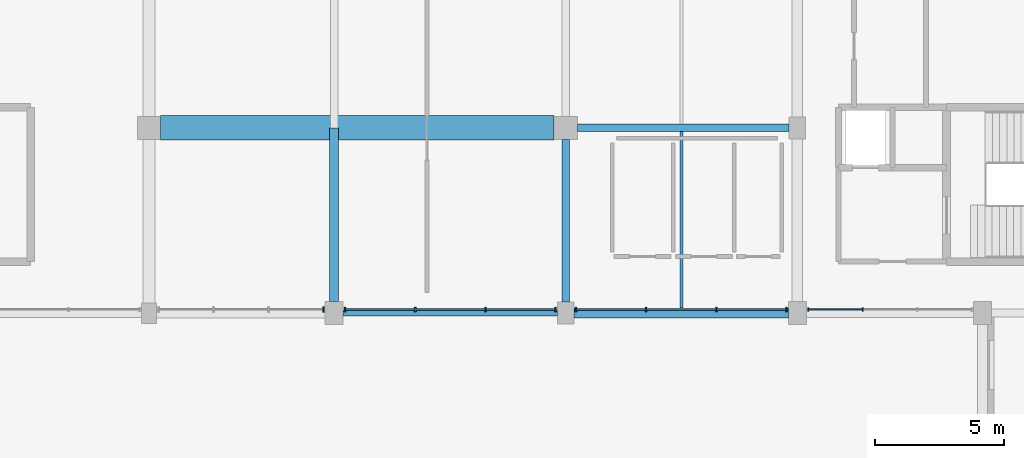
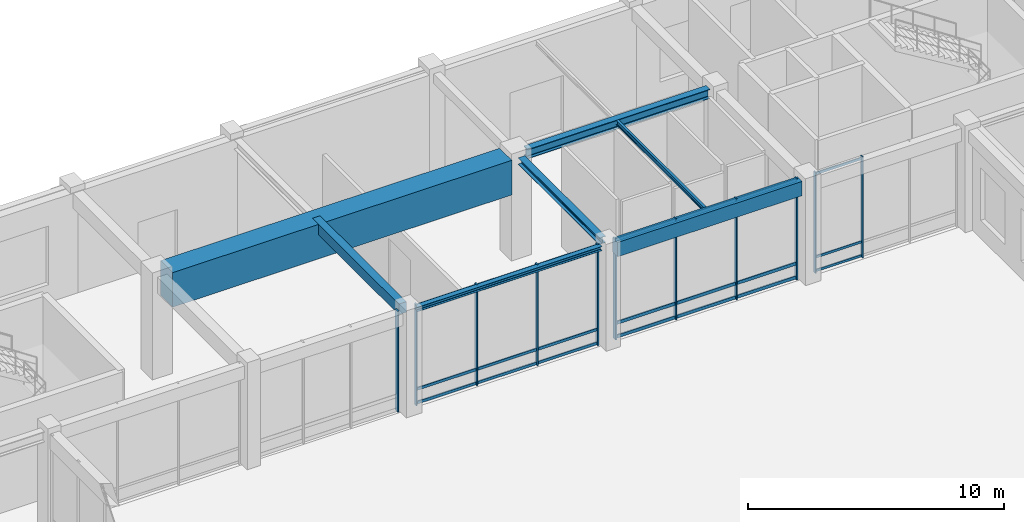
# One storey, part 27 of 64: 32 members, 7 beams, 4 elements without a shape of their own.
"""IFC4 building model written with IfcOpenShell, lengths in metres."""

from ifc_helpers import new_model, si_unit, direction, frame, origin, origin_2d, place, context, subcontext, project, spatial, rectangle, i_section, extrude, material, material_profile, profile_set, type_object, element, aggregate, save


model = new_model("IFC4")

# Units and contexts
model_context = context("Model", 3, precision=1e-05, world=origin(), true_north=direction((0.0, 1.0)))
body_context = subcontext(model_context, "Body", "Model", "MODEL_VIEW")
ifc_project = project(units=[si_unit("LENGTHUNIT", "METRE"), si_unit("AREAUNIT", "SQUARE_METRE"), si_unit("VOLUMEUNIT", "CUBIC_METRE"), si_unit("PLANEANGLEUNIT", "RADIAN"), si_unit("MASSUNIT", "GRAM", prefix="KILO")], contexts=[model_context])

# Site, building, storey
site_placement = place(None, origin())
site = spatial("IfcSite", under=ifc_project, at=site_placement, CompositionType="ELEMENT")
building_placement = place(site_placement, origin())
building = spatial("IfcBuilding", under=site, at=building_placement, Name="Clarverna Civic Hall", CompositionType="ELEMENT")
storey_placement = place(building_placement, origin())
storey = spatial("IfcBuildingStorey", under=building, at=storey_placement, Name="L00", CompositionType="ELEMENT", Elevation=0.0)

# Beams
ifc_material_1 = material(Name="Steel S355", Category="steel")
ifc_material_profile_1 = material_profile(ifc_material_1, i_section(OverallWidth=0.219970703125, OverallDepth=0.2099609375, WebThickness=0.007080078125, FlangeThickness=0.010986328125, FilletRadius=0.01806640625, at=origin_2d()), Name="HEA 220")
ifc_profile_set_1 = profile_set([ifc_material_profile_1], Name="Steel S355")
beam_type_1 = type_object("IfcBeamType", Name="B-LN1", PredefinedType="LINTEL", material=ifc_profile_set_1)
beam_1_placement = place(storey_placement, frame((32.75, 102.199951171875, 4.715087890625), z_axis=(1.0, 0.0, 0.0), x_axis=(0.0, 1.0, 0.0)))
element("IfcBeam", 1, at=beam_1_placement, inside=storey, type_object=beam_type_1, Name="B-LN1-007", PredefinedType="LINTEL", context=body_context, shape_type="SweptSolid", body=[
    extrude(i_section(OverallWidth=0.219970703125, OverallDepth=0.2099609375, WebThickness=0.007080078125, FlangeThickness=0.010986328125, FilletRadius=0.01806640625, at=origin_2d()), origin(), (0.0, 0.0, 1.0), 8.324951171875),
])
ifc_material_2 = material(Name="Concrete C35/45", Category="concrete")
ifc_material_profile_2 = material_profile(ifc_material_2, rectangle(XDim=0.35009765625, YDim=0.5, at=origin_2d()), Name="RC 350x500")
ifc_profile_set_2 = profile_set([ifc_material_profile_2], Name="Concrete C35/45")
beam_type_2 = type_object("IfcBeamType", Name="B-RC10", PredefinedType="BEAM", material=ifc_profile_set_2)
beam_2_placement = place(storey_placement, frame((32.39990234375, 102.64990234375, 4.570068359375), z_axis=(0.0, 1.0, 0.0), x_axis=(-1.0, 0.0, 0.0)))
element("IfcBeam", 2, at=beam_2_placement, inside=storey, type_object=beam_type_2, Name="B-RC10-019", PredefinedType="BEAM", context=body_context, shape_type="SweptSolid", body=[
    extrude(rectangle(XDim=0.35009765625, YDim=0.5, at=origin_2d()), origin(), (0.0, 0.0, 1.0), 6.75),
])
ifc_material_profile_3 = material_profile(ifc_material_2, rectangle(XDim=0.3798828125, YDim=0.679931640625, at=origin_2d()), Name="RC 380x680")
ifc_profile_set_3 = profile_set([ifc_material_profile_3], Name="Concrete C35/45")
beam_type_3 = type_object("IfcBeamType", Name="B-SP2", PredefinedType="SPANDREL", material=ifc_profile_set_3)
beam_3_placement = place(storey_placement, frame((41.72509765625, 102.199951171875, 4.47998046875), z_axis=(1.0, 0.0, 0.0), x_axis=(0.0, 1.0, 0.0)))
element("IfcBeam", 3, at=beam_3_placement, inside=storey, type_object=beam_type_3, Name="B-SP2-038", PredefinedType="SPANDREL", context=body_context, shape_type="SweptSolid", body=[
    extrude(rectangle(XDim=0.3798828125, YDim=0.679931640625, at=origin_2d()), origin(), (0.0, 0.0, 1.0), 8.324951171875),
])
ifc_material_profile_4 = material_profile(ifc_material_1, i_section(OverallWidth=0.300048828125, OverallDepth=0.449951171875, WebThickness=0.013916015625, FlangeThickness=0.02587890625, FilletRadius=0.027099609375, at=origin_2d()), Name="HEB 450")
ifc_profile_set_4 = profile_set([ifc_material_profile_4], Name="Steel S355")
beam_type_4 = type_object("IfcBeamType", Name="B-ST3", PredefinedType="BEAM", material=ifc_profile_set_4)
beam_4_placement = place(storey_placement, frame((41.85009765625, 109.39990234375, 4.594970703125), z_axis=(1.0, 0.0, 0.0), x_axis=(0.0, 1.0, 0.0)))
element("IfcBeam", 4, at=beam_4_placement, inside=storey, type_object=beam_type_4, Name="B-ST3-003", PredefinedType="BEAM", context=body_context, shape_type="SweptSolid", body=[
    extrude(i_section(OverallWidth=0.300048828125, OverallDepth=0.449951171875, WebThickness=0.013916015625, FlangeThickness=0.02587890625, FilletRadius=0.027099609375, at=origin_2d()), origin(), (0.0, 0.0, 1.0), 8.224853515625),
])
ifc_material_profile_5 = material_profile(ifc_material_1, i_section(OverallWidth=0.300048828125, OverallDepth=0.31005859375, WebThickness=0.009033203125, FlangeThickness=0.015380859375, FilletRadius=0.027099609375, at=origin_2d()), Name="HEA 320")
ifc_profile_set_5 = profile_set([ifc_material_profile_5], Name="Steel S355")
beam_type_5 = type_object("IfcBeamType", Name="B-ST9", PredefinedType="BEAM", material=ifc_profile_set_5)
beam_5_placement = place(storey_placement, frame((41.39990234375, 102.625, 4.6650390625), z_axis=(0.0, 1.0, 0.0), x_axis=(-1.0, 0.0, 0.0)))
element("IfcBeam", 5, at=beam_5_placement, inside=storey, type_object=beam_type_5, Name="B-ST9-021", PredefinedType="BEAM", context=body_context, shape_type="SweptSolid", body=[
    extrude(i_section(OverallWidth=0.300048828125, OverallDepth=0.31005859375, WebThickness=0.009033203125, FlangeThickness=0.015380859375, FilletRadius=0.027099609375, at=origin_2d()), origin(), (0.0, 0.0, 1.0), 6.324951171875),
])

# Curtain wall, members
ifc_material_3 = material(Name="Anodised Bronze Architectural Aluminium", Category="aluminium")
curtain_wall_type = type_object("IfcCurtainWallType", Name="CW-04", PredefinedType="USERDEFINED", material=ifc_material_3)
curtain_wall_1_placement = place(storey_placement, origin())
curtain_wall_1 = element("IfcCurtainWall", 6, at=curtain_wall_1_placement, inside=storey, type_object=curtain_wall_type, Name="CW-04-002", ObjectType="UNITISED CURTAIN WALL", PredefinedType="USERDEFINED")
ifc_material_profile_6 = material_profile(ifc_material_3, rectangle(XDim=0.06005859375, YDim=0.179931640625, at=origin_2d()), Name="BRONZE 60x180")
ifc_profile_set_6 = profile_set([ifc_material_profile_6], Name="Anodised Bronze Architectural Aluminium")
member_type_1 = type_object("IfcMemberType", Name="CWM-01", PredefinedType="MULLION", material=ifc_profile_set_6)
member_1_placement = place(storey_placement, frame((49.97705078125, 102.340087890625, 0.0), z_axis=(0.0, 0.0, 1.0), x_axis=(1.0, 0.0, 0.0)))
member_1 = element("IfcMember", 7, at=member_1_placement, type_object=member_type_1, Name="CWM-01-022", PredefinedType="MULLION", context=body_context, shape_type="SweptSolid", body=[
    extrude(rectangle(XDim=0.06005859375, YDim=0.179931640625, at=origin_2d()), origin(), (0.0, 0.0, 1.0), 4.820068359375),
])
member_2_placement = place(storey_placement, frame((47.250732421875, 102.340087890625, 0.0), z_axis=(0.0, 0.0, 1.0), x_axis=(1.0, 0.0, 0.0)))
member_2 = element("IfcMember", 8, at=member_2_placement, type_object=member_type_1, Name="CWM-01-023", PredefinedType="MULLION", context=body_context, shape_type="SweptSolid", body=[
    extrude(rectangle(XDim=0.06005859375, YDim=0.179931640625, at=origin_2d()), origin(), (0.0, 0.0, 1.0), 4.820068359375),
])
member_3_placement = place(storey_placement, frame((44.5244140625, 102.340087890625, 0.0), z_axis=(0.0, 0.0, 1.0), x_axis=(1.0, 0.0, 0.0)))
member_3 = element("IfcMember", 9, at=member_3_placement, type_object=member_type_1, Name="CWM-01-024", PredefinedType="MULLION", context=body_context, shape_type="SweptSolid", body=[
    extrude(rectangle(XDim=0.06005859375, YDim=0.179931640625, at=origin_2d()), origin(), (0.0, 0.0, 1.0), 4.820068359375),
])
member_4_placement = place(storey_placement, frame((41.798095703125, 102.340087890625, 0.0), z_axis=(0.0, 0.0, 1.0), x_axis=(1.0, 0.0, 0.0)))
member_4 = element("IfcMember", 10, at=member_4_placement, type_object=member_type_1, Name="CWM-01-025", PredefinedType="MULLION", context=body_context, shape_type="SweptSolid", body=[
    extrude(rectangle(XDim=0.06005859375, YDim=0.179931640625, at=origin_2d()), origin(), (0.0, 0.0, 1.0), 4.820068359375),
])

curtain_wall_2_placement = place(storey_placement, origin())
curtain_wall_2 = element("IfcCurtainWall", 11, at=curtain_wall_2_placement, inside=storey, type_object=curtain_wall_type, Name="CW-04-003", ObjectType="UNITISED CURTAIN WALL", PredefinedType="USERDEFINED")
ifc_material_profile_7 = material_profile(ifc_material_3, rectangle(XDim=0.06005859375, YDim=0.159912109375, at=origin_2d()), Name="BRONZE 60x160")
ifc_profile_set_7 = profile_set([ifc_material_profile_7], Name="Anodised Bronze Architectural Aluminium")
member_type_2 = type_object("IfcMemberType", Name="CWM-02", PredefinedType="MULLION", material=ifc_profile_set_7)
member_5_placement = place(storey_placement, frame((41.001953125, 102.340087890625, 0.0), z_axis=(0.0, 0.0, 1.0), x_axis=(1.0, 0.0, 0.0)))
member_5 = element("IfcMember", 12, at=member_5_placement, type_object=member_type_2, Name="CWM-02-022", PredefinedType="MULLION", context=body_context, shape_type="SweptSolid", body=[
    extrude(rectangle(XDim=0.06005859375, YDim=0.159912109375, at=origin_2d()), origin(), (0.0, 0.0, 1.0), 4.820068359375),
])
member_6_placement = place(storey_placement, frame((38.275634765625, 102.340087890625, 0.0), z_axis=(0.0, 0.0, 1.0), x_axis=(1.0, 0.0, 0.0)))
member_6 = element("IfcMember", 13, at=member_6_placement, type_object=member_type_2, Name="CWM-02-023", PredefinedType="MULLION", context=body_context, shape_type="SweptSolid", body=[
    extrude(rectangle(XDim=0.06005859375, YDim=0.159912109375, at=origin_2d()), origin(), (0.0, 0.0, 1.0), 4.820068359375),
])
member_7_placement = place(storey_placement, frame((35.54931640625, 102.340087890625, 0.0), z_axis=(0.0, 0.0, 1.0), x_axis=(1.0, 0.0, 0.0)))
member_7 = element("IfcMember", 14, at=member_7_placement, type_object=member_type_2, Name="CWM-02-024", PredefinedType="MULLION", context=body_context, shape_type="SweptSolid", body=[
    extrude(rectangle(XDim=0.06005859375, YDim=0.159912109375, at=origin_2d()), origin(), (0.0, 0.0, 1.0), 4.820068359375),
])
member_8_placement = place(storey_placement, frame((32.822998046875, 102.340087890625, 0.0), z_axis=(0.0, 0.0, 1.0), x_axis=(1.0, 0.0, 0.0)))
member_8 = element("IfcMember", 15, at=member_8_placement, type_object=member_type_2, Name="CWM-02-025", PredefinedType="MULLION", context=body_context, shape_type="SweptSolid", body=[
    extrude(rectangle(XDim=0.06005859375, YDim=0.159912109375, at=origin_2d()), origin(), (0.0, 0.0, 1.0), 4.820068359375),
])

# Curtain wall, member
curtain_wall_3_placement = place(storey_placement, origin())
curtain_wall_3 = element("IfcCurtainWall", 16, at=curtain_wall_3_placement, inside=storey, type_object=curtain_wall_type, Name="CW-04-004", ObjectType="UNITISED CURTAIN WALL", PredefinedType="USERDEFINED")
ifc_material_profile_8 = material_profile(ifc_material_3, rectangle(XDim=0.06494140625, YDim=0.199951171875, at=origin_2d()), Name="BRONZE 65x200")
ifc_profile_set_8 = profile_set([ifc_material_profile_8], Name="Anodised Bronze Architectural Aluminium")
member_type_3 = type_object("IfcMemberType", Name="CWM-03", PredefinedType="MULLION", material=ifc_profile_set_8)
member_9_placement = place(storey_placement, frame((31.97705078125, 102.340087890625, 0.0), z_axis=(0.0, 0.0, 1.0), x_axis=(1.0, 0.0, 0.0)))
member_9 = element("IfcMember", 17, at=member_9_placement, type_object=member_type_3, Name="CWM-03-022", PredefinedType="MULLION", context=body_context, shape_type="SweptSolid", body=[
    extrude(rectangle(XDim=0.06494140625, YDim=0.199951171875, at=origin_2d()), origin(), (0.0, 0.0, 1.0), 4.820068359375),
])
aggregate(curtain_wall_3, [member_9])

# Curtain wall, members
curtain_wall_4_placement = place(storey_placement, origin())
curtain_wall_4 = element("IfcCurtainWall", 18, at=curtain_wall_4_placement, inside=storey, type_object=curtain_wall_type, Name="CW-04-001", ObjectType="UNITISED CURTAIN WALL", PredefinedType="USERDEFINED")
ifc_material_profile_9 = material_profile(ifc_material_3, rectangle(XDim=0.054931640625, YDim=0.139892578125, at=origin_2d()), Name="BRONZE 55x140")
ifc_profile_set_9 = profile_set([ifc_material_profile_9], Name="Anodised Bronze Architectural Aluminium")
member_type_4 = type_object("IfcMemberType", Name="CWM-04", PredefinedType="MULLION", material=ifc_profile_set_9)
member_10_placement = place(storey_placement, frame((52.94091796875, 102.340087890625, 0.0), z_axis=(0.0, 0.0, 1.0), x_axis=(1.0, 0.0, 0.0)))
member_10 = element("IfcMember", 19, at=member_10_placement, type_object=member_type_4, Name="CWM-04-021", PredefinedType="MULLION", context=body_context, shape_type="SweptSolid", body=[
    extrude(rectangle(XDim=0.054931640625, YDim=0.139892578125, at=origin_2d()), origin(), (0.0, 0.0, 1.0), 4.820068359375),
])
member_11_placement = place(storey_placement, frame((50.822998046875, 102.340087890625, 0.0), z_axis=(0.0, 0.0, 1.0), x_axis=(1.0, 0.0, 0.0)))
member_11 = element("IfcMember", 20, at=member_11_placement, type_object=member_type_4, Name="CWM-04-022", PredefinedType="MULLION", context=body_context, shape_type="SweptSolid", body=[
    extrude(rectangle(XDim=0.054931640625, YDim=0.139892578125, at=origin_2d()), origin(), (0.0, 0.0, 1.0), 4.820068359375),
])

# Member
ifc_material_profile_10 = material_profile(ifc_material_3, rectangle(XDim=0.06005859375, YDim=0.14990234375, at=origin_2d()), Name="BRONZE 60x150")
ifc_profile_set_10 = profile_set([ifc_material_profile_10], Name="Anodised Bronze Architectural Aluminium")
member_type_5 = type_object("IfcMemberType", Name="CWT-01", PredefinedType="USERDEFINED", material=ifc_profile_set_10)
member_12_placement = place(storey_placement, frame((49.9619140625, 102.340087890625, 0.094970703125), z_axis=(-1.0, 0.0, 0.0), x_axis=(0.0, -1.0, 0.0)))
member_12 = element("IfcMember", 21, at=member_12_placement, type_object=member_type_5, Name="CWT-01-043", ObjectType="TRANSOM", PredefinedType="USERDEFINED", context=body_context, shape_type="SweptSolid", body=[
    extrude(rectangle(XDim=0.06005859375, YDim=0.14990234375, at=origin_2d()), origin(), (0.0, 0.0, 1.0), 2.6962890625),
])

member_13_placement = place(storey_placement, frame((49.9619140625, 102.340087890625, 0.75), z_axis=(-1.0, 0.0, 0.0), x_axis=(0.0, -1.0, 0.0)))
member_13 = element("IfcMember", 22, at=member_13_placement, type_object=member_type_5, Name="CWT-01-044", ObjectType="TRANSOM", PredefinedType="USERDEFINED", context=body_context, shape_type="SweptSolid", body=[
    extrude(rectangle(XDim=0.06005859375, YDim=0.14990234375, at=origin_2d()), origin(), (0.0, 0.0, 1.0), 2.6962890625),
])

member_14_placement = place(storey_placement, frame((49.9619140625, 102.340087890625, 4.72509765625), z_axis=(-1.0, 0.0, 0.0), x_axis=(0.0, -1.0, 0.0)))
member_14 = element("IfcMember", 23, at=member_14_placement, type_object=member_type_5, Name="CWT-01-045", ObjectType="TRANSOM", PredefinedType="USERDEFINED", context=body_context, shape_type="SweptSolid", body=[
    extrude(rectangle(XDim=0.06005859375, YDim=0.14990234375, at=origin_2d()), origin(), (0.0, 0.0, 1.0), 2.6962890625),
])

member_15_placement = place(storey_placement, frame((47.235595703125, 102.340087890625, 0.094970703125), z_axis=(-1.0, 0.0, 0.0), x_axis=(0.0, -1.0, 0.0)))
member_15 = element("IfcMember", 24, at=member_15_placement, type_object=member_type_5, Name="CWT-01-046", ObjectType="TRANSOM", PredefinedType="USERDEFINED", context=body_context, shape_type="SweptSolid", body=[
    extrude(rectangle(XDim=0.06005859375, YDim=0.14990234375, at=origin_2d()), origin(), (0.0, 0.0, 1.0), 2.6962890625),
])

member_16_placement = place(storey_placement, frame((47.235595703125, 102.340087890625, 0.75), z_axis=(-1.0, 0.0, 0.0), x_axis=(0.0, -1.0, 0.0)))
member_16 = element("IfcMember", 25, at=member_16_placement, type_object=member_type_5, Name="CWT-01-047", ObjectType="TRANSOM", PredefinedType="USERDEFINED", context=body_context, shape_type="SweptSolid", body=[
    extrude(rectangle(XDim=0.06005859375, YDim=0.14990234375, at=origin_2d()), origin(), (0.0, 0.0, 1.0), 2.6962890625),
])

member_17_placement = place(storey_placement, frame((47.235595703125, 102.340087890625, 4.72509765625), z_axis=(-1.0, 0.0, 0.0), x_axis=(0.0, -1.0, 0.0)))
member_17 = element("IfcMember", 26, at=member_17_placement, type_object=member_type_5, Name="CWT-01-048", ObjectType="TRANSOM", PredefinedType="USERDEFINED", context=body_context, shape_type="SweptSolid", body=[
    extrude(rectangle(XDim=0.06005859375, YDim=0.14990234375, at=origin_2d()), origin(), (0.0, 0.0, 1.0), 2.6962890625),
])

member_18_placement = place(storey_placement, frame((44.50927734375, 102.340087890625, 0.094970703125), z_axis=(-1.0, 0.0, 0.0), x_axis=(0.0, -1.0, 0.0)))
member_18 = element("IfcMember", 27, at=member_18_placement, type_object=member_type_5, Name="CWT-01-049", ObjectType="TRANSOM", PredefinedType="USERDEFINED", context=body_context, shape_type="SweptSolid", body=[
    extrude(rectangle(XDim=0.06005859375, YDim=0.14990234375, at=origin_2d()), origin(), (0.0, 0.0, 1.0), 2.6962890625),
])

member_19_placement = place(storey_placement, frame((44.50927734375, 102.340087890625, 0.75), z_axis=(-1.0, 0.0, 0.0), x_axis=(0.0, -1.0, 0.0)))
member_19 = element("IfcMember", 28, at=member_19_placement, type_object=member_type_5, Name="CWT-01-050", ObjectType="TRANSOM", PredefinedType="USERDEFINED", context=body_context, shape_type="SweptSolid", body=[
    extrude(rectangle(XDim=0.06005859375, YDim=0.14990234375, at=origin_2d()), origin(), (0.0, 0.0, 1.0), 2.6962890625),
])

member_20_placement = place(storey_placement, frame((44.50927734375, 102.340087890625, 4.72509765625), z_axis=(-1.0, 0.0, 0.0), x_axis=(0.0, -1.0, 0.0)))
member_20 = element("IfcMember", 29, at=member_20_placement, type_object=member_type_5, Name="CWT-01-051", ObjectType="TRANSOM", PredefinedType="USERDEFINED", context=body_context, shape_type="SweptSolid", body=[
    extrude(rectangle(XDim=0.06005859375, YDim=0.14990234375, at=origin_2d()), origin(), (0.0, 0.0, 1.0), 2.6962890625),
])

aggregate(curtain_wall_1, [member_1, member_2, member_3, member_4, member_12, member_13, member_14, member_15, member_16, member_17, member_18, member_19, member_20])

ifc_material_profile_11 = material_profile(ifc_material_3, rectangle(XDim=0.06005859375, YDim=0.1298828125, at=origin_2d()), Name="BRONZE 60x130")
ifc_profile_set_11 = profile_set([ifc_material_profile_11], Name="Anodised Bronze Architectural Aluminium")
member_type_6 = type_object("IfcMemberType", Name="CWT-02", PredefinedType="USERDEFINED", material=ifc_profile_set_11)
member_21_placement = place(storey_placement, frame((40.987060546875, 102.340087890625, 0.094970703125), z_axis=(-1.0, 0.0, 0.0), x_axis=(0.0, -1.0, 0.0)))
member_21 = element("IfcMember", 30, at=member_21_placement, type_object=member_type_6, Name="CWT-02-043", ObjectType="TRANSOM", PredefinedType="USERDEFINED", context=body_context, shape_type="SweptSolid", body=[
    extrude(rectangle(XDim=0.06005859375, YDim=0.1298828125, at=origin_2d()), origin(), (0.0, 0.0, 1.0), 2.6962890625),
])

member_22_placement = place(storey_placement, frame((40.987060546875, 102.340087890625, 0.75), z_axis=(-1.0, 0.0, 0.0), x_axis=(0.0, -1.0, 0.0)))
member_22 = element("IfcMember", 31, at=member_22_placement, type_object=member_type_6, Name="CWT-02-044", ObjectType="TRANSOM", PredefinedType="USERDEFINED", context=body_context, shape_type="SweptSolid", body=[
    extrude(rectangle(XDim=0.06005859375, YDim=0.1298828125, at=origin_2d()), origin(), (0.0, 0.0, 1.0), 2.6962890625),
])

member_23_placement = place(storey_placement, frame((40.987060546875, 102.340087890625, 4.72509765625), z_axis=(-1.0, 0.0, 0.0), x_axis=(0.0, -1.0, 0.0)))
member_23 = element("IfcMember", 32, at=member_23_placement, type_object=member_type_6, Name="CWT-02-045", ObjectType="TRANSOM", PredefinedType="USERDEFINED", context=body_context, shape_type="SweptSolid", body=[
    extrude(rectangle(XDim=0.06005859375, YDim=0.1298828125, at=origin_2d()), origin(), (0.0, 0.0, 1.0), 2.6962890625),
])

member_24_placement = place(storey_placement, frame((38.2607421875, 102.340087890625, 0.094970703125), z_axis=(-1.0, 0.0, 0.0), x_axis=(0.0, -1.0, 0.0)))
member_24 = element("IfcMember", 33, at=member_24_placement, type_object=member_type_6, Name="CWT-02-046", ObjectType="TRANSOM", PredefinedType="USERDEFINED", context=body_context, shape_type="SweptSolid", body=[
    extrude(rectangle(XDim=0.06005859375, YDim=0.1298828125, at=origin_2d()), origin(), (0.0, 0.0, 1.0), 2.696533203125),
])

member_25_placement = place(storey_placement, frame((38.2607421875, 102.340087890625, 0.75), z_axis=(-1.0, 0.0, 0.0), x_axis=(0.0, -1.0, 0.0)))
member_25 = element("IfcMember", 34, at=member_25_placement, type_object=member_type_6, Name="CWT-02-047", ObjectType="TRANSOM", PredefinedType="USERDEFINED", context=body_context, shape_type="SweptSolid", body=[
    extrude(rectangle(XDim=0.06005859375, YDim=0.1298828125, at=origin_2d()), origin(), (0.0, 0.0, 1.0), 2.696533203125),
])

member_26_placement = place(storey_placement, frame((38.2607421875, 102.340087890625, 4.72509765625), z_axis=(-1.0, 0.0, 0.0), x_axis=(0.0, -1.0, 0.0)))
member_26 = element("IfcMember", 35, at=member_26_placement, type_object=member_type_6, Name="CWT-02-048", ObjectType="TRANSOM", PredefinedType="USERDEFINED", context=body_context, shape_type="SweptSolid", body=[
    extrude(rectangle(XDim=0.06005859375, YDim=0.1298828125, at=origin_2d()), origin(), (0.0, 0.0, 1.0), 2.696533203125),
])

member_27_placement = place(storey_placement, frame((35.5341796875, 102.340087890625, 0.094970703125), z_axis=(-1.0, 0.0, 0.0), x_axis=(0.0, -1.0, 0.0)))
member_27 = element("IfcMember", 36, at=member_27_placement, type_object=member_type_6, Name="CWT-02-049", ObjectType="TRANSOM", PredefinedType="USERDEFINED", context=body_context, shape_type="SweptSolid", body=[
    extrude(rectangle(XDim=0.06005859375, YDim=0.1298828125, at=origin_2d()), origin(), (0.0, 0.0, 1.0), 2.6962890625),
])

member_28_placement = place(storey_placement, frame((35.5341796875, 102.340087890625, 0.75), z_axis=(-1.0, 0.0, 0.0), x_axis=(0.0, -1.0, 0.0)))
member_28 = element("IfcMember", 37, at=member_28_placement, type_object=member_type_6, Name="CWT-02-050", ObjectType="TRANSOM", PredefinedType="USERDEFINED", context=body_context, shape_type="SweptSolid", body=[
    extrude(rectangle(XDim=0.06005859375, YDim=0.1298828125, at=origin_2d()), origin(), (0.0, 0.0, 1.0), 2.6962890625),
])

member_29_placement = place(storey_placement, frame((35.5341796875, 102.340087890625, 4.72509765625), z_axis=(-1.0, 0.0, 0.0), x_axis=(0.0, -1.0, 0.0)))
member_29 = element("IfcMember", 38, at=member_29_placement, type_object=member_type_6, Name="CWT-02-051", ObjectType="TRANSOM", PredefinedType="USERDEFINED", context=body_context, shape_type="SweptSolid", body=[
    extrude(rectangle(XDim=0.06005859375, YDim=0.1298828125, at=origin_2d()), origin(), (0.0, 0.0, 1.0), 2.6962890625),
])

aggregate(curtain_wall_2, [member_5, member_6, member_7, member_8, member_21, member_22, member_23, member_24, member_25, member_26, member_27, member_28, member_29])

ifc_material_profile_12 = material_profile(ifc_material_3, rectangle(XDim=0.054931640625, YDim=0.110107421875, at=origin_2d()), Name="BRONZE 55x110")
ifc_profile_set_12 = profile_set([ifc_material_profile_12], Name="Anodised Bronze Architectural Aluminium")
member_type_7 = type_object("IfcMemberType", Name="CWT-04", PredefinedType="USERDEFINED", material=ifc_profile_set_12)
member_30_placement = place(storey_placement, frame((52.926025390625, 102.340087890625, 0.094970703125), z_axis=(-1.0, 0.0, 0.0), x_axis=(0.0, -1.0, 0.0)))
member_30 = element("IfcMember", 39, at=member_30_placement, type_object=member_type_7, Name="CWT-04-043", ObjectType="TRANSOM", PredefinedType="USERDEFINED", context=body_context, shape_type="SweptSolid", body=[
    extrude(rectangle(XDim=0.054931640625, YDim=0.110107421875, at=origin_2d()), origin(), (0.0, 0.0, 1.0), 2.088134765625),
])

member_31_placement = place(storey_placement, frame((52.926025390625, 102.340087890625, 0.75), z_axis=(-1.0, 0.0, 0.0), x_axis=(0.0, -1.0, 0.0)))
member_31 = element("IfcMember", 40, at=member_31_placement, type_object=member_type_7, Name="CWT-04-044", ObjectType="TRANSOM", PredefinedType="USERDEFINED", context=body_context, shape_type="SweptSolid", body=[
    extrude(rectangle(XDim=0.054931640625, YDim=0.110107421875, at=origin_2d()), origin(), (0.0, 0.0, 1.0), 2.088134765625),
])

member_32_placement = place(storey_placement, frame((52.926025390625, 102.340087890625, 4.72509765625), z_axis=(-1.0, 0.0, 0.0), x_axis=(0.0, -1.0, 0.0)))
member_32 = element("IfcMember", 41, at=member_32_placement, type_object=member_type_7, Name="CWT-04-045", ObjectType="TRANSOM", PredefinedType="USERDEFINED", context=body_context, shape_type="SweptSolid", body=[
    extrude(rectangle(XDim=0.054931640625, YDim=0.110107421875, at=origin_2d()), origin(), (0.0, 0.0, 1.0), 2.088134765625),
])

aggregate(curtain_wall_4, [member_10, member_11, member_30, member_31, member_32])

# Beams
ifc_material_profile_13 = material_profile(ifc_material_1, i_section(OverallWidth=0.110107421875, OverallDepth=0.219970703125, WebThickness=0.005859375, FlangeThickness=0.00927734375, FilletRadius=0.011962890625, at=origin_2d()), Name="IPE 220")
ifc_profile_set_13 = profile_set([ifc_material_profile_13], Name="Steel S355")
beam_type_6 = type_object("IfcBeamType", Name="J-ST6", PredefinedType="JOIST", material=ifc_profile_set_13)
beam_6_placement = place(storey_placement, frame((45.89990234375, 102.389892578125, 4.7099609375), z_axis=(0.0, 1.0, 0.0), x_axis=(-1.0, 0.0, 0.0)))
element("IfcBeam", 42, at=beam_6_placement, inside=storey, type_object=beam_type_6, Name="J-ST6-033", PredefinedType="JOIST", context=body_context, shape_type="SweptSolid", body=[
    extrude(i_section(OverallWidth=0.110107421875, OverallDepth=0.219970703125, WebThickness=0.005859375, FlangeThickness=0.00927734375, FilletRadius=0.011962890625, at=origin_2d()), origin(), (0.0, 0.0, 1.0), 6.860107421875),
])
ifc_material_4 = material(Name="Concrete C40/50", Category="concrete")
ifc_material_profile_14 = material_profile(ifc_material_4, rectangle(XDim=0.949951171875, YDim=1.64990234375, at=origin_2d()), Name="RC 950x1650")
ifc_profile_set_14 = profile_set([ifc_material_profile_14], Name="Concrete C40/50")
beam_type_7 = type_object("IfcBeamType", Name="TG-03", PredefinedType="USERDEFINED", material=ifc_profile_set_14)
beam_7_placement = place(storey_placement, frame((25.64990234375, 109.39990234375, 3.9951171875), z_axis=(1.0, 0.0, 0.0), x_axis=(0.0, 1.0, 0.0)))
element("IfcBeam", 43, at=beam_7_placement, inside=storey, type_object=beam_type_7, Name="Concrete Transfer Girder TG-03", ObjectType="TRANSFER GIRDER", PredefinedType="USERDEFINED", context=body_context, shape_type="SweptSolid", body=[
    extrude(rectangle(XDim=0.949951171875, YDim=1.64990234375, at=origin_2d()), origin(), (0.0, 0.0, 1.0), 15.300048828125),
])

save(model, "model.ifc")
